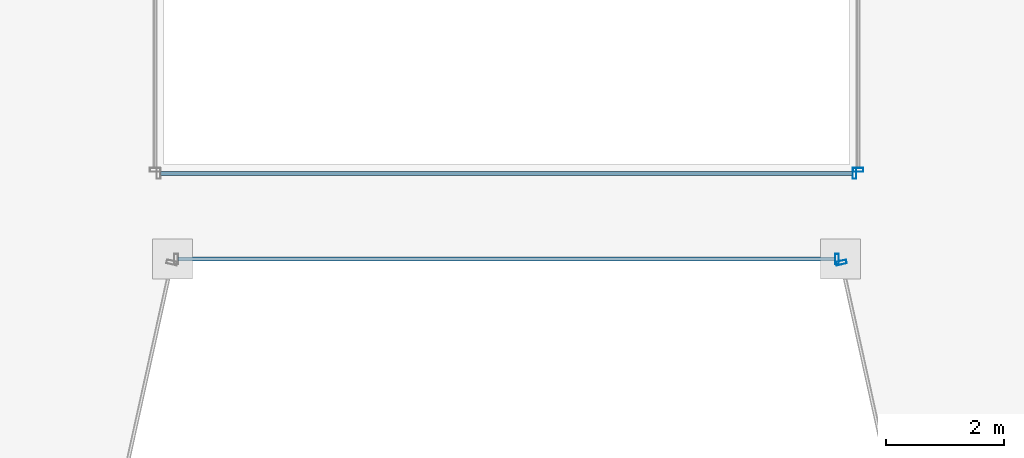
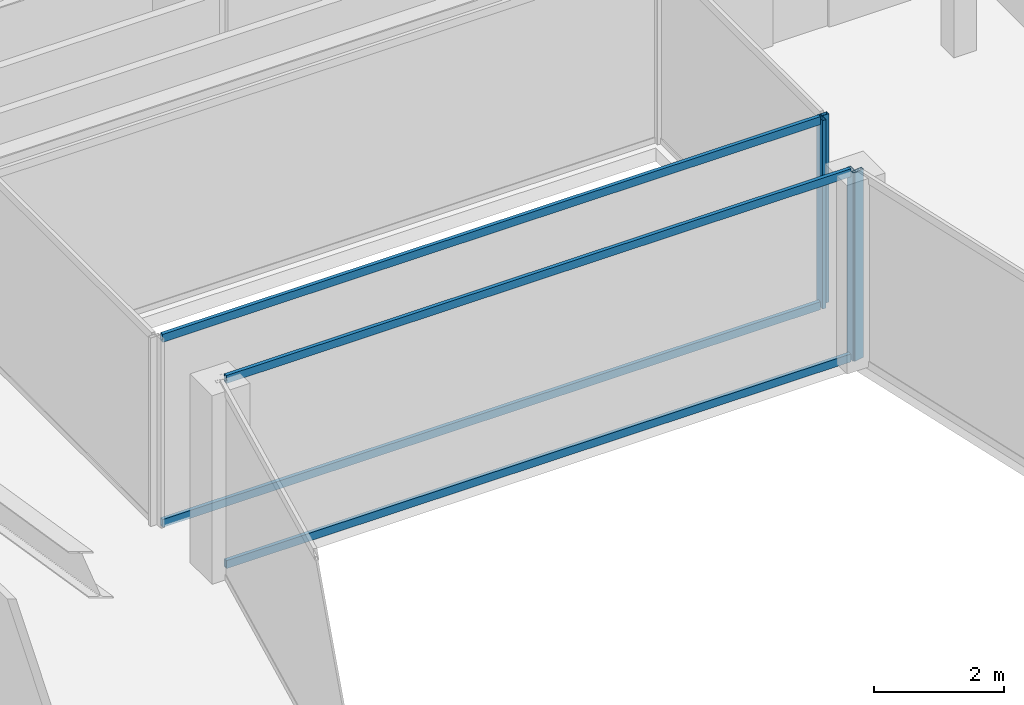
# One storey, part 6 of 33: 8 members, 4 elements without a shape of their own.
"""IFC4 building model written with IfcOpenShell, lengths in metres."""

from ifc_helpers import new_model, si_unit, direction, frame, origin, origin_2d, place, context, subcontext, project, spatial, hollow_rectangle, extrude, material, material_profile, profile_set, type_object, element, aggregate, save


model = new_model("IFC4")

# Units and contexts
model_context = context("Model", 3, precision=1e-05, world=origin(), true_north=direction((0.0, 1.0)))
body_context = subcontext(model_context, "Body", "Model", "MODEL_VIEW")
ifc_project = project(units=[si_unit("LENGTHUNIT", "METRE"), si_unit("AREAUNIT", "SQUARE_METRE"), si_unit("VOLUMEUNIT", "CUBIC_METRE"), si_unit("PLANEANGLEUNIT", "RADIAN"), si_unit("MASSUNIT", "GRAM", prefix="KILO")], contexts=[model_context])

# Site, building, storey
site_placement = place(None, origin())
site = spatial("IfcSite", under=ifc_project, at=site_placement, CompositionType="ELEMENT")
building_placement = place(site_placement, origin())
building = spatial("IfcBuilding", under=site, at=building_placement, Name="Saevonmaru Cultural Tower", CompositionType="ELEMENT")
storey_placement = place(building_placement, frame((0.0, 0.0, 234.39990234375)))
storey = spatial("IfcBuildingStorey", under=building, at=storey_placement, Name="L54", CompositionType="ELEMENT", Elevation=234.39990234375)

# Curtain wall, member
ifc_material = material(Name="Satin Bronze Anodised Aluminium", Category="aluminium")
curtain_wall_type_1 = type_object("IfcCurtainWallType", Name="CW-TYP-B", PredefinedType="NOTDEFINED", material=ifc_material)
curtain_wall_1_placement = place(storey_placement, origin())
curtain_wall_1 = element("IfcCurtainWall", 1, at=curtain_wall_1_placement, inside=storey, type_object=curtain_wall_type_1, Name="L54 Unitised Curtain Wall E4", PredefinedType="NOTDEFINED")
ifc_material_profile_1 = material_profile(ifc_material, hollow_rectangle(XDim=0.06494140625, YDim=0.179931640625, WallThickness=0.00390625, at=origin_2d()), Name="ALU-MULL-180x65x4")
ifc_profile_set_1 = profile_set([ifc_material_profile_1], Name="Satin Bronze Anodised Aluminium")
member_type_1 = type_object("IfcMemberType", Name="ML-CW-180x65", PredefinedType="MULLION", material=ifc_profile_set_1)
member_1_placement = place(storey_placement, frame((35.59326171875, 31.199951171875, 0.0), z_axis=(0.0, 0.0, 1.0), x_axis=(1.0, 0.0, 0.0)))
member_1 = element("IfcMember", 2, at=member_1_placement, type_object=member_type_1, Name="CW-TW-L54-E4 mullion 2", PredefinedType="MULLION", context=body_context, shape_type="SweptSolid", body=[
    extrude(hollow_rectangle(XDim=0.06494140625, YDim=0.179931640625, WallThickness=0.00390625, at=origin_2d()), origin(), (0.0, 0.0, 1.0), 3.550048828125),
])

curtain_wall_2_placement = place(storey_placement, origin())
curtain_wall_2 = element("IfcCurtainWall", 3, at=curtain_wall_2_placement, inside=storey, type_object=curtain_wall_type_1, Name="L54 Unitised Curtain Wall E5", PredefinedType="NOTDEFINED")
member_2_placement = place(storey_placement, frame((35.666259765625, 31.141357421875, 0.0), z_axis=(0.0, 0.0, 1.0), x_axis=(0.215413319953, -0.976522965212, 0.0)))
member_2 = element("IfcMember", 4, at=member_2_placement, type_object=member_type_1, Name="CW-TW-L54-E5 mullion 1", PredefinedType="MULLION", context=body_context, shape_type="SweptSolid", body=[
    extrude(hollow_rectangle(XDim=0.06494140625, YDim=0.179931640625, WallThickness=0.00390625, at=origin_2d()), origin(), (0.0, 0.0, 1.0), 3.550048828125),
])
aggregate(curtain_wall_2, [member_2])

curtain_wall_type_2 = type_object("IfcCurtainWallType", Name="CW-ATR-GLZ", PredefinedType="NOTDEFINED", material=ifc_material)
curtain_wall_3_placement = place(storey_placement, origin())
curtain_wall_3 = element("IfcCurtainWall", 5, at=curtain_wall_3_placement, inside=storey, type_object=curtain_wall_type_2, Name="L54 Vertical Atrium Glazed Smoke Screen 1", PredefinedType="NOTDEFINED")
ifc_material_profile_2 = material_profile(ifc_material, hollow_rectangle(XDim=0.06494140625, YDim=0.179931640625, WallThickness=0.00390625, at=origin_2d()), Name="ALU-MULL-180x65x4")
ifc_profile_set_2 = profile_set([ifc_material_profile_2], Name="Satin Bronze Anodised Aluminium")
member_type_2 = type_object("IfcMemberType", Name="ML-CW-INT-180x65", PredefinedType="MULLION", material=ifc_profile_set_2)
member_3_placement = place(storey_placement, frame((35.889892578125, 32.64990234375, 0.0), z_axis=(0.0, 0.0, 1.0), x_axis=(1.0, 0.0, 0.0)))
member_3 = element("IfcMember", 6, at=member_3_placement, type_object=member_type_2, Name="CW-ATR-L54-1 mullion 2", PredefinedType="MULLION", context=body_context, shape_type="SweptSolid", body=[
    extrude(hollow_rectangle(XDim=0.06494140625, YDim=0.179931640625, WallThickness=0.00390625, at=origin_2d()), origin(), (0.0, 0.0, 1.0), 3.550048828125),
])

curtain_wall_4_placement = place(storey_placement, origin())
curtain_wall_4 = element("IfcCurtainWall", 7, at=curtain_wall_4_placement, inside=storey, type_object=curtain_wall_type_2, Name="L54 Vertical Atrium Glazed Smoke Screen 2", PredefinedType="NOTDEFINED")
member_4_placement = place(storey_placement, frame((35.949951171875, 32.7099609375, 0.0), z_axis=(0.0, 0.0, 1.0), x_axis=(0.0, 1.0, 0.0)))
member_4 = element("IfcMember", 8, at=member_4_placement, type_object=member_type_2, Name="CW-ATR-L54-2 mullion 1", PredefinedType="MULLION", context=body_context, shape_type="SweptSolid", body=[
    extrude(hollow_rectangle(XDim=0.06494140625, YDim=0.179931640625, WallThickness=0.00390625, at=origin_2d()), origin(), (0.0, 0.0, 1.0), 3.550048828125),
])
aggregate(curtain_wall_4, [member_4])

# Member
ifc_material_profile_3 = material_profile(ifc_material, hollow_rectangle(XDim=0.06494140625, YDim=0.14990234375, WallThickness=0.00390625, at=origin_2d()), Name="ALU-TRAN-150x65x4")
ifc_profile_set_3 = profile_set([ifc_material_profile_3], Name="Satin Bronze Anodised Aluminium")
member_type_3 = type_object("IfcMemberType", Name="TR-CW-150x65", PredefinedType="USERDEFINED", material=ifc_profile_set_3)
member_5_placement = place(storey_placement, frame((24.439208984375, 31.199951171875, 0.03271484375), z_axis=(1.0, 0.0, 0.0), x_axis=(0.0, 1.0, 0.0)))
member_5 = element("IfcMember", 9, at=member_5_placement, type_object=member_type_3, Name="CW-TW-L54-E4 transom 1.1", ObjectType="TRANSOM", PredefinedType="USERDEFINED", context=body_context, shape_type="SweptSolid", body=[
    extrude(hollow_rectangle(XDim=0.06494140625, YDim=0.14990234375, WallThickness=0.00390625, at=origin_2d()), origin(), (0.0, 0.0, 1.0), 11.12158203125),
])

member_6_placement = place(storey_placement, frame((24.439208984375, 31.199951171875, 3.517578125), z_axis=(1.0, 0.0, 0.0), x_axis=(0.0, 1.0, 0.0)))
member_6 = element("IfcMember", 10, at=member_6_placement, type_object=member_type_3, Name="CW-TW-L54-E4 transom 1.2", ObjectType="TRANSOM", PredefinedType="USERDEFINED", context=body_context, shape_type="SweptSolid", body=[
    extrude(hollow_rectangle(XDim=0.06494140625, YDim=0.14990234375, WallThickness=0.00390625, at=origin_2d()), origin(), (0.0, 0.0, 1.0), 11.12158203125),
])

aggregate(curtain_wall_1, [member_1, member_5, member_6])

ifc_material_profile_4 = material_profile(ifc_material, hollow_rectangle(XDim=0.06494140625, YDim=0.14990234375, WallThickness=0.00390625, at=origin_2d()), Name="ALU-TRAN-150x65x4")
ifc_profile_set_4 = profile_set([ifc_material_profile_4], Name="Satin Bronze Anodised Aluminium")
member_type_4 = type_object("IfcMemberType", Name="TR-CW-INT-150x65", PredefinedType="USERDEFINED", material=ifc_profile_set_4)
member_7_placement = place(storey_placement, frame((24.142578125, 32.64990234375, 0.03271484375), z_axis=(1.0, 0.0, 0.0), x_axis=(0.0, 1.0, 0.0)))
member_7 = element("IfcMember", 11, at=member_7_placement, type_object=member_type_4, Name="CW-ATR-L54-1 transom 1.1", ObjectType="TRANSOM", PredefinedType="USERDEFINED", context=body_context, shape_type="SweptSolid", body=[
    extrude(hollow_rectangle(XDim=0.06494140625, YDim=0.14990234375, WallThickness=0.00390625, at=origin_2d()), origin(), (0.0, 0.0, 1.0), 11.71484375),
])

member_8_placement = place(storey_placement, frame((24.142578125, 32.64990234375, 3.517578125), z_axis=(1.0, 0.0, 0.0), x_axis=(0.0, 1.0, 0.0)))
member_8 = element("IfcMember", 12, at=member_8_placement, type_object=member_type_4, Name="CW-ATR-L54-1 transom 1.2", ObjectType="TRANSOM", PredefinedType="USERDEFINED", context=body_context, shape_type="SweptSolid", body=[
    extrude(hollow_rectangle(XDim=0.06494140625, YDim=0.14990234375, WallThickness=0.00390625, at=origin_2d()), origin(), (0.0, 0.0, 1.0), 11.71484375),
])

aggregate(curtain_wall_3, [member_3, member_7, member_8])

save(model, "model.ifc")
